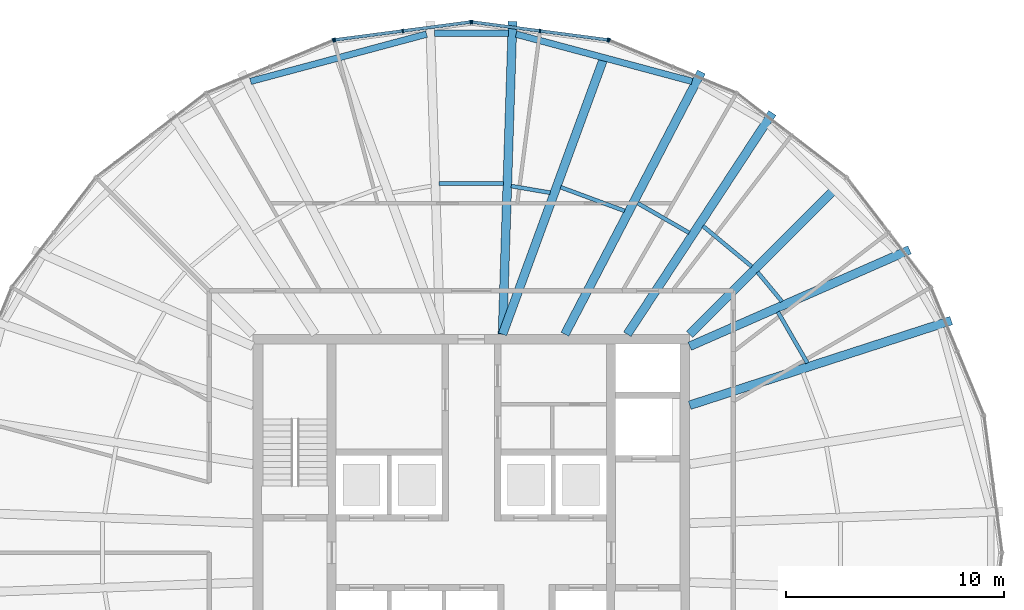
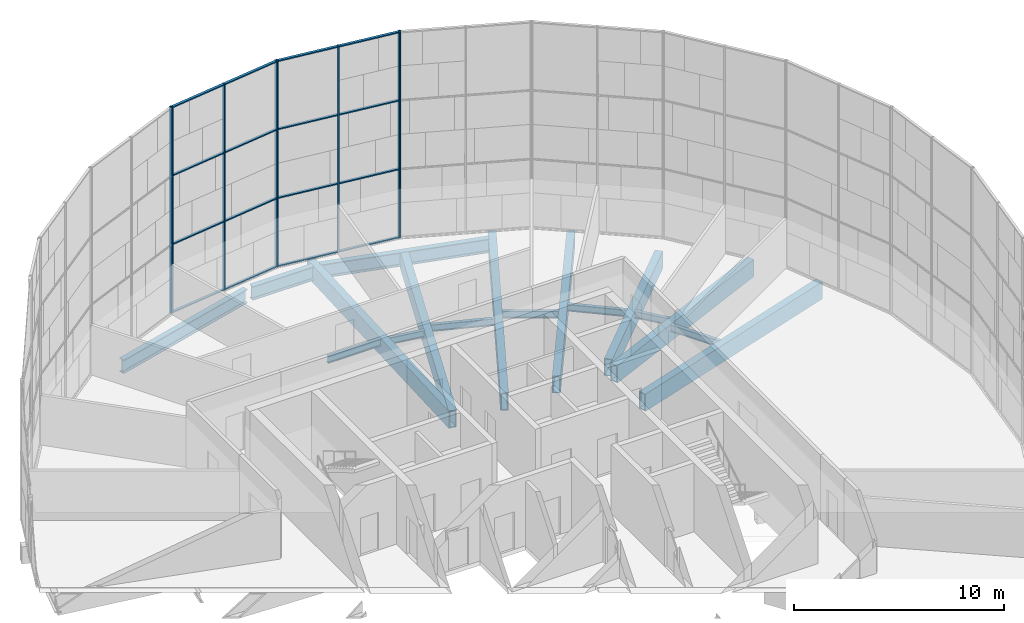
# One storey, part 7 of 22: 24 members, 17 beams, 4 elements without a shape of their own.
"""IFC4 building model written with IfcOpenShell, lengths in metres."""

from ifc_helpers import new_model, si_unit, direction, frame, origin, origin_2d, place, context, subcontext, project, spatial, rectangle, hollow_rectangle, i_section, extrude, material, material_profile, profile_set, type_object, element, aggregate, save


model = new_model("IFC4")

# Units and contexts
model_context = context("Model", 3, precision=1e-05, world=origin(), true_north=direction((0.0, 1.0)))
body_context = subcontext(model_context, "Body", "Model", "MODEL_VIEW")
ifc_project = project(units=[si_unit("LENGTHUNIT", "METRE"), si_unit("AREAUNIT", "SQUARE_METRE"), si_unit("VOLUMEUNIT", "CUBIC_METRE"), si_unit("PLANEANGLEUNIT", "RADIAN"), si_unit("MASSUNIT", "GRAM", prefix="KILO")], contexts=[model_context])

# Site, building, storey
site_placement = place(None, origin())
site = spatial("IfcSite", under=ifc_project, at=site_placement, CompositionType="ELEMENT")
building_placement = place(site_placement, origin())
building = spatial("IfcBuilding", under=site, at=building_placement, Name="Golbaran Civic Tower", CompositionType="ELEMENT")
storey_placement = place(building_placement, frame((0.0, 0.0, 155.0)))
storey = spatial("IfcBuildingStorey", under=building, at=storey_placement, Name="L37", CompositionType="ELEMENT", Elevation=155.0)

# Beams
ifc_material_1 = material(Name="Steel S355", Category="steel")
ifc_material_profile_1 = material_profile(ifc_material_1, i_section(OverallWidth=0.300048828125, OverallDepth=0.800048828125, WebThickness=0.017578125, FlangeThickness=0.032958984375, FilletRadius=0.030029296875, at=origin_2d()), Name="HEB 800")
ifc_profile_set_1 = profile_set([ifc_material_profile_1], Name="Steel S355")
beam_type_1 = type_object("IfcBeamType", Name="EDGE BEAM HEB 800", PredefinedType="BEAM", material=ifc_profile_set_1)
beam_1_placement = place(storey_placement, frame((10.10888671875, 21.580810546875, -0.60009765625), z_axis=(-0.965852660034, 0.259091951063, 0.0), x_axis=(-0.259091951063, -0.965852660034, 0.0)))
element("IfcBeam", 1, at=beam_1_placement, inside=storey, type_object=beam_type_1, Name="Edge beam 64.38 L37", PredefinedType="BEAM", context=body_context, shape_type="SweptSolid", body=[
    extrude(i_section(OverallWidth=0.300048828125, OverallDepth=0.800048828125, WebThickness=0.017578125, FlangeThickness=0.032958984375, FilletRadius=0.030029296875, at=origin_2d()), origin(), (0.0, 0.0, 1.0), 8.343994140625),
])
beam_2_placement = place(storey_placement, frame((1.691162109375, 23.79052734375, -0.60009765625), z_axis=(-1.0, 0.0, 0.0), x_axis=(0.0, -1.0, 0.0)))
element("IfcBeam", 2, at=beam_2_placement, inside=storey, type_object=beam_type_1, Name="Edge beam 85.62 L37", PredefinedType="BEAM", context=body_context, shape_type="SweptSolid", body=[
    extrude(i_section(OverallWidth=0.300048828125, OverallDepth=0.800048828125, WebThickness=0.017578125, FlangeThickness=0.032958984375, FilletRadius=0.030029296875, at=origin_2d()), origin(), (0.0, 0.0, 1.0), 3.38232421875),
])
beam_3_placement = place(storey_placement, frame((-2.0498046875, 23.74267578125, -0.60009765625), z_axis=(-0.965852660034, -0.259091951063, 0.0), x_axis=(0.259091951063, -0.965852660034, 0.0)))
element("IfcBeam", 3, at=beam_3_placement, inside=storey, type_object=beam_type_1, Name="Edge beam 94.38 L37", PredefinedType="BEAM", context=body_context, shape_type="SweptSolid", body=[
    extrude(i_section(OverallWidth=0.300048828125, OverallDepth=0.800048828125, WebThickness=0.017578125, FlangeThickness=0.032958984375, FilletRadius=0.030029296875, at=origin_2d()), origin(), (0.0, 0.0, 1.0), 8.343994140625),
])
ifc_material_profile_2 = material_profile(ifc_material_1, i_section(OverallWidth=0.179931640625, OverallDepth=0.39990234375, WebThickness=0.008544921875, FlangeThickness=0.013427734375, FilletRadius=0.02099609375, at=origin_2d()), Name="IPE 400")
ifc_profile_set_2 = profile_set([ifc_material_profile_2], Name="Steel S355")
beam_type_2 = type_object("IfcBeamType", Name="FLOOR INFILL BEAM IPE 400", PredefinedType="BEAM", material=ifc_profile_set_2)
beam_4_placement = place(storey_placement, frame((15.38916015625, 8.684814453125, -0.39990234375), z_axis=(-0.499996136155, 0.866027634565, 0.0), x_axis=(-0.866027634565, -0.499996136155, 0.0)))
element("IfcBeam", 4, at=beam_4_placement, inside=storey, type_object=beam_type_2, Name="Infill beam 30.00 L37", PredefinedType="BEAM", context=body_context, shape_type="SweptSolid", body=[
    extrude(i_section(OverallWidth=0.179931640625, OverallDepth=0.39990234375, WebThickness=0.008544921875, FlangeThickness=0.013427734375, FilletRadius=0.02099609375, at=origin_2d()), origin(), (0.0, 0.0, 1.0), 2.70263671875),
])
beam_5_placement = place(storey_placement, frame((14.224853515625, 11.500732421875, -0.39990234375), z_axis=(-0.63856720713, 0.769566060828, 0.0), x_axis=(-0.769566060828, -0.63856720713, 0.0)))
element("IfcBeam", 5, at=beam_5_placement, inside=storey, type_object=beam_type_2, Name="Infill beam 39.69 L37", PredefinedType="BEAM", context=body_context, shape_type="SweptSolid", body=[
    extrude(i_section(OverallWidth=0.179931640625, OverallDepth=0.39990234375, WebThickness=0.008544921875, FlangeThickness=0.013427734375, FilletRadius=0.02099609375, at=origin_2d()), origin(), (0.0, 0.0, 1.0), 1.753662109375),
])
beam_6_placement = place(storey_placement, frame((12.843994140625, 13.0986328125, -0.39990234375), z_axis=(-0.769541494955, 0.63859681141, 0.0), x_axis=(-0.63859681141, -0.769541494955, 0.0)))
element("IfcBeam", 6, at=beam_6_placement, inside=storey, type_object=beam_type_2, Name="Infill beam 50.31 L37", PredefinedType="BEAM", context=body_context, shape_type="SweptSolid", body=[
    extrude(i_section(OverallWidth=0.179931640625, OverallDepth=0.39990234375, WebThickness=0.008544921875, FlangeThickness=0.013427734375, FilletRadius=0.02099609375, at=origin_2d()), origin(), (0.0, 0.0, 1.0), 2.90673828125),
])
beam_7_placement = place(storey_placement, frame((9.973388671875, 14.64501953125, -0.39990234375), z_axis=(-0.866022906543, 0.500004325324, 0.0), x_axis=(-0.500004325324, -0.866022906543, 0.0)))
element("IfcBeam", 7, at=beam_7_placement, inside=storey, type_object=beam_type_2, Name="Infill beam 60.00 L37", PredefinedType="BEAM", context=body_context, shape_type="SweptSolid", body=[
    extrude(i_section(OverallWidth=0.179931640625, OverallDepth=0.39990234375, WebThickness=0.008544921875, FlangeThickness=0.013427734375, FilletRadius=0.02099609375, at=origin_2d()), origin(), (0.0, 0.0, 1.0), 2.72412109375),
])
beam_8_placement = place(storey_placement, frame((7.022216796875, 15.64892578125, -0.39990234375), z_axis=(-0.937838207925, 0.347072752829, 0.0), x_axis=(-0.347072752829, -0.937838207925, 0.0)))
element("IfcBeam", 8, at=beam_8_placement, inside=storey, type_object=beam_type_2, Name="Infill beam 69.69 L37", PredefinedType="BEAM", context=body_context, shape_type="SweptSolid", body=[
    extrude(i_section(OverallWidth=0.179931640625, OverallDepth=0.39990234375, WebThickness=0.008544921875, FlangeThickness=0.013427734375, FilletRadius=0.02099609375, at=origin_2d()), origin(), (0.0, 0.0, 1.0), 3.126708984375),
])
beam_9_placement = place(storey_placement, frame((3.61376953125, 16.481689453125, -0.39990234375), z_axis=(-0.985734791047, 0.168306035898, 0.0), x_axis=(-0.168306035898, -0.985734791047, 0.0)))
element("IfcBeam", 9, at=beam_9_placement, inside=storey, type_object=beam_type_2, Name="Infill beam 80.31 L37", PredefinedType="BEAM", context=body_context, shape_type="SweptSolid", body=[
    extrude(i_section(OverallWidth=0.179931640625, OverallDepth=0.39990234375, WebThickness=0.008544921875, FlangeThickness=0.013427734375, FilletRadius=0.02099609375, at=origin_2d()), origin(), (0.0, 0.0, 1.0), 1.813232421875),
])
beam_10_placement = place(storey_placement, frame((1.4697265625, 16.895263671875, -0.39990234375), z_axis=(-1.0, 0.0, 0.0), x_axis=(0.0, -1.0, 0.0)))
element("IfcBeam", 10, at=beam_10_placement, inside=storey, type_object=beam_type_2, Name="Infill beam 90.00 L37", PredefinedType="BEAM", context=body_context, shape_type="SweptSolid", body=[
    extrude(i_section(OverallWidth=0.179931640625, OverallDepth=0.39990234375, WebThickness=0.008544921875, FlangeThickness=0.013427734375, FilletRadius=0.02099609375, at=origin_2d()), origin(), (0.0, 0.0, 1.0), 2.939453125),
])

# Curtain wall, member
ifc_material_2 = material(Name="Aluminium and glass", Category="aluminium")
curtain_wall_type = type_object("IfcCurtainWallType", Name="INNER SKIN CURTAIN WALL", PredefinedType="NOTDEFINED", material=ifc_material_2)
curtain_wall_1_placement = place(storey_placement, origin())
curtain_wall_1 = element("IfcCurtainWall", 11, at=curtain_wall_1_placement, inside=storey, type_object=curtain_wall_type, Name="Inner skin L37 facet 5 CW1", ObjectType="INNER SKIN", PredefinedType="USERDEFINED")
ifc_material_3 = material(Name="Aluminium", Category="aluminium")
ifc_material_profile_3 = material_profile(ifc_material_3, rectangle(XDim=0.179931640625, YDim=0.06494140625, at=origin_2d()), Name="INNER SKIN CURTAIN WALL MULLION")
ifc_profile_set_3 = profile_set([ifc_material_profile_3], Name="Aluminium")
member_type_1 = type_object("IfcMemberType", Name="INNER SKIN CURTAIN WALL MULLION", PredefinedType="MULLION", material=ifc_profile_set_3)
member_1_placement = place(storey_placement, frame((6.31982421875, 23.46142578125, 0.0), z_axis=(0.0, 0.0, 1.0), x_axis=(-0.382683432268, -0.923879532551, 0.0)))
member_1 = element("IfcMember", 12, at=member_1_placement, type_object=member_type_1, Name="CW1 mullion 3", PredefinedType="MULLION", context=body_context, shape_type="SweptSolid", body=[
    extrude(rectangle(XDim=0.179931640625, YDim=0.06494140625, at=origin_2d()), origin(), (0.0, 0.0, 1.0), 12.0),
])
aggregate(curtain_wall_1, [member_1])

# Curtain wall, members
curtain_wall_2_placement = place(storey_placement, origin())
curtain_wall_2 = element("IfcCurtainWall", 13, at=curtain_wall_2_placement, inside=storey, type_object=curtain_wall_type, Name="Inner skin L37 facet 6 CW1", ObjectType="INNER SKIN", PredefinedType="USERDEFINED")
member_2_placement = place(storey_placement, frame((6.257568359375, 23.478271484375, 0.0), z_axis=(0.0, 0.0, 1.0), x_axis=(-0.130526192289, -0.991444861365, 0.0)))
member_2 = element("IfcMember", 14, at=member_2_placement, type_object=member_type_1, Name="CW1 mullion 1", PredefinedType="MULLION", context=body_context, shape_type="SweptSolid", body=[
    extrude(rectangle(XDim=0.179931640625, YDim=0.06494140625, at=origin_2d()), origin(), (0.0, 0.0, 1.0), 12.0),
])
member_3_placement = place(storey_placement, frame((3.14501953125, 23.887939453125, 0.0), z_axis=(0.0, 0.0, 1.0), x_axis=(-0.130526192289, -0.991444861365, 0.0)))
member_3 = element("IfcMember", 15, at=member_3_placement, type_object=member_type_1, Name="CW1 mullion 2", PredefinedType="MULLION", context=body_context, shape_type="SweptSolid", body=[
    extrude(rectangle(XDim=0.179931640625, YDim=0.06494140625, at=origin_2d()), origin(), (0.0, 0.0, 1.0), 12.0),
])
member_4_placement = place(storey_placement, frame((0.0322265625, 24.2978515625, 0.0), z_axis=(0.0, 0.0, 1.0), x_axis=(-0.130526192289, -0.991444861365, 0.0)))
member_4 = element("IfcMember", 16, at=member_4_placement, type_object=member_type_1, Name="CW1 mullion 3", PredefinedType="MULLION", context=body_context, shape_type="SweptSolid", body=[
    extrude(rectangle(XDim=0.179931640625, YDim=0.06494140625, at=origin_2d()), origin(), (0.0, 0.0, 1.0), 12.0),
])

curtain_wall_3_placement = place(storey_placement, origin())
curtain_wall_3 = element("IfcCurtainWall", 17, at=curtain_wall_3_placement, inside=storey, type_object=curtain_wall_type, Name="Inner skin L37 facet 7 CW1", ObjectType="INNER SKIN", PredefinedType="USERDEFINED")
member_5_placement = place(storey_placement, frame((-0.0322265625, 24.2978515625, 0.0), z_axis=(0.0, 0.0, 1.0), x_axis=(0.130526192289, -0.991444861365, 0.0)))
member_5 = element("IfcMember", 18, at=member_5_placement, type_object=member_type_1, Name="CW1 mullion 1", PredefinedType="MULLION", context=body_context, shape_type="SweptSolid", body=[
    extrude(rectangle(XDim=0.179931640625, YDim=0.06494140625, at=origin_2d()), origin(), (0.0, 0.0, 1.0), 12.0),
])
member_6_placement = place(storey_placement, frame((-3.14501953125, 23.887939453125, 0.0), z_axis=(0.0, 0.0, 1.0), x_axis=(0.130526192289, -0.991444861365, 0.0)))
member_6 = element("IfcMember", 19, at=member_6_placement, type_object=member_type_1, Name="CW1 mullion 2", PredefinedType="MULLION", context=body_context, shape_type="SweptSolid", body=[
    extrude(rectangle(XDim=0.179931640625, YDim=0.06494140625, at=origin_2d()), origin(), (0.0, 0.0, 1.0), 12.0),
])
member_7_placement = place(storey_placement, frame((-6.257568359375, 23.478271484375, 0.0), z_axis=(0.0, 0.0, 1.0), x_axis=(0.130526192289, -0.991444861365, 0.0)))
member_7 = element("IfcMember", 20, at=member_7_placement, type_object=member_type_1, Name="CW1 mullion 3", PredefinedType="MULLION", context=body_context, shape_type="SweptSolid", body=[
    extrude(rectangle(XDim=0.179931640625, YDim=0.06494140625, at=origin_2d()), origin(), (0.0, 0.0, 1.0), 12.0),
])

# Curtain wall, member
curtain_wall_4_placement = place(storey_placement, origin())
curtain_wall_4 = element("IfcCurtainWall", 21, at=curtain_wall_4_placement, inside=storey, type_object=curtain_wall_type, Name="Inner skin L37 facet 8 CW1", ObjectType="INNER SKIN", PredefinedType="USERDEFINED")
member_8_placement = place(storey_placement, frame((-6.31982421875, 23.46142578125, 0.0), z_axis=(0.0, 0.0, 1.0), x_axis=(0.382683432268, -0.923879532551, 0.0)))
member_8 = element("IfcMember", 22, at=member_8_placement, type_object=member_type_1, Name="CW1 mullion 1", PredefinedType="MULLION", context=body_context, shape_type="SweptSolid", body=[
    extrude(rectangle(XDim=0.179931640625, YDim=0.06494140625, at=origin_2d()), origin(), (0.0, 0.0, 1.0), 12.0),
])
aggregate(curtain_wall_4, [member_8])

# Member
ifc_material_profile_4 = material_profile(ifc_material_3, rectangle(XDim=0.139892578125, YDim=0.06494140625, at=origin_2d()), Name="INNER SKIN CURTAIN WALL TRANSOM")
ifc_profile_set_4 = profile_set([ifc_material_profile_4], Name="Aluminium")
member_type_2 = type_object("IfcMemberType", Name="INNER SKIN CURTAIN WALL TRANSOM", PredefinedType="USERDEFINED", material=ifc_profile_set_4)
member_9_placement = place(storey_placement, frame((6.225341796875, 23.482421875, 0.032470703125), z_axis=(-0.991441587305, 0.130551058833, 0.0), x_axis=(-0.130551058833, -0.991441587305, 0.0)))
member_9 = element("IfcMember", 23, at=member_9_placement, type_object=member_type_2, Name="CW1 transom 1.1", ObjectType="TRANSOM", PredefinedType="USERDEFINED", context=body_context, shape_type="SweptSolid", body=[
    extrude(rectangle(XDim=0.139892578125, YDim=0.06494140625, at=origin_2d()), origin(), (0.0, 0.0, 1.0), 3.074462890625),
])

member_10_placement = place(storey_placement, frame((6.225341796875, 23.482421875, 4.0), z_axis=(-0.991441587305, 0.130551058833, 0.0), x_axis=(-0.130551058833, -0.991441587305, 0.0)))
member_10 = element("IfcMember", 24, at=member_10_placement, type_object=member_type_2, Name="CW1 transom 1.2", ObjectType="TRANSOM", PredefinedType="USERDEFINED", context=body_context, shape_type="SweptSolid", body=[
    extrude(rectangle(XDim=0.139892578125, YDim=0.06494140625, at=origin_2d()), origin(), (0.0, 0.0, 1.0), 3.074462890625),
])

member_11_placement = place(storey_placement, frame((6.225341796875, 23.482421875, 8.0), z_axis=(-0.991441587305, 0.130551058833, 0.0), x_axis=(-0.130551058833, -0.991441587305, 0.0)))
member_11 = element("IfcMember", 25, at=member_11_placement, type_object=member_type_2, Name="CW1 transom 1.3", ObjectType="TRANSOM", PredefinedType="USERDEFINED", context=body_context, shape_type="SweptSolid", body=[
    extrude(rectangle(XDim=0.139892578125, YDim=0.06494140625, at=origin_2d()), origin(), (0.0, 0.0, 1.0), 3.074462890625),
])

member_12_placement = place(storey_placement, frame((6.225341796875, 23.482421875, 11.967529296875), z_axis=(-0.991441587305, 0.130551058833, 0.0), x_axis=(-0.130551058833, -0.991441587305, 0.0)))
member_12 = element("IfcMember", 26, at=member_12_placement, type_object=member_type_2, Name="CW1 transom 1.4", ObjectType="TRANSOM", PredefinedType="USERDEFINED", context=body_context, shape_type="SweptSolid", body=[
    extrude(rectangle(XDim=0.139892578125, YDim=0.06494140625, at=origin_2d()), origin(), (0.0, 0.0, 1.0), 3.074462890625),
])

member_13_placement = place(storey_placement, frame((3.11279296875, 23.89208984375, 0.032470703125), z_axis=(-0.991442940586, 0.130540781221, 0.0), x_axis=(-0.130540781221, -0.991442940586, 0.0)))
member_13 = element("IfcMember", 27, at=member_13_placement, type_object=member_type_2, Name="CW1 transom 2.1", ObjectType="TRANSOM", PredefinedType="USERDEFINED", context=body_context, shape_type="SweptSolid", body=[
    extrude(rectangle(XDim=0.139892578125, YDim=0.06494140625, at=origin_2d()), origin(), (0.0, 0.0, 1.0), 3.07470703125),
])

member_14_placement = place(storey_placement, frame((3.11279296875, 23.89208984375, 4.0), z_axis=(-0.991442940586, 0.130540781221, 0.0), x_axis=(-0.130540781221, -0.991442940586, 0.0)))
member_14 = element("IfcMember", 28, at=member_14_placement, type_object=member_type_2, Name="CW1 transom 2.2", ObjectType="TRANSOM", PredefinedType="USERDEFINED", context=body_context, shape_type="SweptSolid", body=[
    extrude(rectangle(XDim=0.139892578125, YDim=0.06494140625, at=origin_2d()), origin(), (0.0, 0.0, 1.0), 3.07470703125),
])

member_15_placement = place(storey_placement, frame((3.11279296875, 23.89208984375, 8.0), z_axis=(-0.991442940586, 0.130540781221, 0.0), x_axis=(-0.130540781221, -0.991442940586, 0.0)))
member_15 = element("IfcMember", 29, at=member_15_placement, type_object=member_type_2, Name="CW1 transom 2.3", ObjectType="TRANSOM", PredefinedType="USERDEFINED", context=body_context, shape_type="SweptSolid", body=[
    extrude(rectangle(XDim=0.139892578125, YDim=0.06494140625, at=origin_2d()), origin(), (0.0, 0.0, 1.0), 3.07470703125),
])

member_16_placement = place(storey_placement, frame((3.11279296875, 23.89208984375, 11.967529296875), z_axis=(-0.991442940586, 0.130540781221, 0.0), x_axis=(-0.130540781221, -0.991442940586, 0.0)))
member_16 = element("IfcMember", 30, at=member_16_placement, type_object=member_type_2, Name="CW1 transom 2.4", ObjectType="TRANSOM", PredefinedType="USERDEFINED", context=body_context, shape_type="SweptSolid", body=[
    extrude(rectangle(XDim=0.139892578125, YDim=0.06494140625, at=origin_2d()), origin(), (0.0, 0.0, 1.0), 3.07470703125),
])

aggregate(curtain_wall_2, [member_2, member_3, member_4, member_9, member_10, member_11, member_12, member_13, member_14, member_15, member_16])

member_17_placement = place(storey_placement, frame((-0.064453125, 24.29345703125, 0.032470703125), z_axis=(-0.991442940586, -0.130540781221, 0.0), x_axis=(0.130540781221, -0.991442940586, 0.0)))
member_17 = element("IfcMember", 31, at=member_17_placement, type_object=member_type_2, Name="CW1 transom 1.1", ObjectType="TRANSOM", PredefinedType="USERDEFINED", context=body_context, shape_type="SweptSolid", body=[
    extrude(rectangle(XDim=0.139892578125, YDim=0.06494140625, at=origin_2d()), origin(), (0.0, 0.0, 1.0), 3.07470703125),
])

member_18_placement = place(storey_placement, frame((-0.064453125, 24.29345703125, 4.0), z_axis=(-0.991442940586, -0.130540781221, 0.0), x_axis=(0.130540781221, -0.991442940586, 0.0)))
member_18 = element("IfcMember", 32, at=member_18_placement, type_object=member_type_2, Name="CW1 transom 1.2", ObjectType="TRANSOM", PredefinedType="USERDEFINED", context=body_context, shape_type="SweptSolid", body=[
    extrude(rectangle(XDim=0.139892578125, YDim=0.06494140625, at=origin_2d()), origin(), (0.0, 0.0, 1.0), 3.07470703125),
])

member_19_placement = place(storey_placement, frame((-0.064453125, 24.29345703125, 8.0), z_axis=(-0.991442940586, -0.130540781221, 0.0), x_axis=(0.130540781221, -0.991442940586, 0.0)))
member_19 = element("IfcMember", 33, at=member_19_placement, type_object=member_type_2, Name="CW1 transom 1.3", ObjectType="TRANSOM", PredefinedType="USERDEFINED", context=body_context, shape_type="SweptSolid", body=[
    extrude(rectangle(XDim=0.139892578125, YDim=0.06494140625, at=origin_2d()), origin(), (0.0, 0.0, 1.0), 3.07470703125),
])

member_20_placement = place(storey_placement, frame((-0.064453125, 24.29345703125, 11.967529296875), z_axis=(-0.991442940586, -0.130540781221, 0.0), x_axis=(0.130540781221, -0.991442940586, 0.0)))
member_20 = element("IfcMember", 34, at=member_20_placement, type_object=member_type_2, Name="CW1 transom 1.4", ObjectType="TRANSOM", PredefinedType="USERDEFINED", context=body_context, shape_type="SweptSolid", body=[
    extrude(rectangle(XDim=0.139892578125, YDim=0.06494140625, at=origin_2d()), origin(), (0.0, 0.0, 1.0), 3.07470703125),
])

member_21_placement = place(storey_placement, frame((-3.17724609375, 23.8837890625, 0.032470703125), z_axis=(-0.991441587305, -0.130551058833, 0.0), x_axis=(0.130551058833, -0.991441587305, 0.0)))
member_21 = element("IfcMember", 35, at=member_21_placement, type_object=member_type_2, Name="CW1 transom 2.1", ObjectType="TRANSOM", PredefinedType="USERDEFINED", context=body_context, shape_type="SweptSolid", body=[
    extrude(rectangle(XDim=0.139892578125, YDim=0.06494140625, at=origin_2d()), origin(), (0.0, 0.0, 1.0), 3.074462890625),
])

member_22_placement = place(storey_placement, frame((-3.17724609375, 23.8837890625, 4.0), z_axis=(-0.991441587305, -0.130551058833, 0.0), x_axis=(0.130551058833, -0.991441587305, 0.0)))
member_22 = element("IfcMember", 36, at=member_22_placement, type_object=member_type_2, Name="CW1 transom 2.2", ObjectType="TRANSOM", PredefinedType="USERDEFINED", context=body_context, shape_type="SweptSolid", body=[
    extrude(rectangle(XDim=0.139892578125, YDim=0.06494140625, at=origin_2d()), origin(), (0.0, 0.0, 1.0), 3.074462890625),
])

member_23_placement = place(storey_placement, frame((-3.17724609375, 23.8837890625, 8.0), z_axis=(-0.991441587305, -0.130551058833, 0.0), x_axis=(0.130551058833, -0.991441587305, 0.0)))
member_23 = element("IfcMember", 37, at=member_23_placement, type_object=member_type_2, Name="CW1 transom 2.3", ObjectType="TRANSOM", PredefinedType="USERDEFINED", context=body_context, shape_type="SweptSolid", body=[
    extrude(rectangle(XDim=0.139892578125, YDim=0.06494140625, at=origin_2d()), origin(), (0.0, 0.0, 1.0), 3.074462890625),
])

member_24_placement = place(storey_placement, frame((-3.17724609375, 23.8837890625, 11.967529296875), z_axis=(-0.991441587305, -0.130551058833, 0.0), x_axis=(0.130551058833, -0.991441587305, 0.0)))
member_24 = element("IfcMember", 38, at=member_24_placement, type_object=member_type_2, Name="CW1 transom 2.4", ObjectType="TRANSOM", PredefinedType="USERDEFINED", context=body_context, shape_type="SweptSolid", body=[
    extrude(rectangle(XDim=0.139892578125, YDim=0.06494140625, at=origin_2d()), origin(), (0.0, 0.0, 1.0), 3.074462890625),
])

aggregate(curtain_wall_3, [member_5, member_6, member_7, member_17, member_18, member_19, member_20, member_21, member_22, member_23, member_24])

# Beams
ifc_material_profile_5 = material_profile(ifc_material_1, hollow_rectangle(XDim=0.39990234375, YDim=1.0, WallThickness=0.050048828125, at=origin_2d()), Name="BOX 1000x400x50")
ifc_profile_set_5 = profile_set([ifc_material_profile_5], Name="Steel S355")
beam_type_3 = type_object("IfcBeamType", Name="RADIAL FLOOR BEAM BOX 1000x400x50", PredefinedType="BEAM", material=ifc_profile_set_5)
beam_11_placement = place(storey_placement, frame((10.0, 6.75, -0.7099609375), z_axis=(0.951333518501, 0.30816316551, 0.0), x_axis=(-0.30816316551, 0.951333518501, 0.0)))
element("IfcBeam", 39, at=beam_11_placement, inside=storey, type_object=beam_type_3, Name="Radial beam 25.62 L37", PredefinedType="BEAM", context=body_context, shape_type="SweptSolid", body=[
    extrude(hollow_rectangle(XDim=0.39990234375, YDim=1.0, WallThickness=0.050048828125, at=origin_2d()), origin(), (0.0, 0.0, 1.0), 12.587158203125),
])
beam_12_placement = place(storey_placement, frame((10.0, 9.449951171875, -0.7099609375), z_axis=(0.915699635691, 0.401863381256, 0.0), x_axis=(-0.401863381256, 0.915699635691, 0.0)))
element("IfcBeam", 40, at=beam_12_placement, inside=storey, type_object=beam_type_3, Name="Radial beam 34.38 L37", PredefinedType="BEAM", context=body_context, shape_type="SweptSolid", body=[
    extrude(hollow_rectangle(XDim=0.39990234375, YDim=1.0, WallThickness=0.050048828125, at=origin_2d()), origin(), (0.0, 0.0, 1.0), 10.99560546875),
])
beam_13_placement = place(storey_placement, frame((7.142822265625, 10.0, -0.7099609375), z_axis=(0.548342642764, 0.836253757018, 0.0), x_axis=(-0.836253757018, 0.548342642764, 0.0)))
element("IfcBeam", 41, at=beam_13_placement, inside=storey, type_object=beam_type_3, Name="Radial beam 55.62 L37", PredefinedType="BEAM", context=body_context, shape_type="SweptSolid", body=[
    extrude(hollow_rectangle(XDim=0.39990234375, YDim=1.0, WallThickness=0.050048828125, at=origin_2d()), origin(), (0.0, 0.0, 1.0), 12.118408203125),
])
beam_14_placement = place(storey_placement, frame((4.28564453125, 10.0, -0.7099609375), z_axis=(0.461588342678, 0.887094246348, 0.0), x_axis=(-0.887094246348, 0.461588342678, 0.0)))
element("IfcBeam", 42, at=beam_14_placement, inside=storey, type_object=beam_type_3, Name="Radial beam 64.38 L37", PredefinedType="BEAM", context=body_context, shape_type="SweptSolid", body=[
    extrude(hollow_rectangle(XDim=0.39990234375, YDim=1.0, WallThickness=0.050048828125, at=origin_2d()), origin(), (0.0, 0.0, 1.0), 13.5390625),
])
beam_15_placement = place(storey_placement, frame((1.428466796875, 10.0, -0.7099609375), z_axis=(0.032085434582, 0.999485129898, 0.0), x_axis=(-0.999485129898, 0.032085434582, 0.0)))
element("IfcBeam", 43, at=beam_15_placement, inside=storey, type_object=beam_type_3, Name="Radial beam 85.62 L37", PredefinedType="BEAM", context=body_context, shape_type="SweptSolid", body=[
    extrude(hollow_rectangle(XDim=0.39990234375, YDim=1.0, WallThickness=0.050048828125, at=origin_2d()), origin(), (0.0, 0.0, 1.0), 14.33544921875),
])
ifc_material_profile_6 = material_profile(ifc_material_1, hollow_rectangle(XDim=0.39990234375, YDim=1.0, WallThickness=0.0400390625, at=origin_2d()), Name="BOX 1000x400x40")
ifc_profile_set_6 = profile_set([ifc_material_profile_6], Name="Steel S355")
beam_type_4 = type_object("IfcBeamType", Name="SECONDARY FLOOR BEAM BOX 1000x400x40", PredefinedType="BEAM", material=ifc_profile_set_6)
beam_16_placement = place(storey_placement, frame((10.0, 10.0, -0.7099609375), z_axis=(0.707106781187, 0.707106781187, 0.0), x_axis=(-0.707106781187, 0.707106781187, 0.0)))
element("IfcBeam", 44, at=beam_16_placement, inside=storey, type_object=beam_type_4, Name="Secondary beam 45.00 L37", PredefinedType="BEAM", context=body_context, shape_type="SweptSolid", body=[
    extrude(hollow_rectangle(XDim=0.39990234375, YDim=1.0, WallThickness=0.0400390625, at=origin_2d()), origin(), (0.0, 0.0, 1.0), 9.334716796875),
])
beam_17_placement = place(storey_placement, frame((1.428466796875, 10.0, -0.7099609375), z_axis=(0.34431846855, 0.938852912982, 0.0), x_axis=(-0.938852912982, 0.34431846855, 0.0)))
element("IfcBeam", 45, at=beam_17_placement, inside=storey, type_object=beam_type_4, Name="Secondary beam 75.00 L37", PredefinedType="BEAM", context=body_context, shape_type="SweptSolid", body=[
    extrude(hollow_rectangle(XDim=0.39990234375, YDim=1.0, WallThickness=0.0400390625, at=origin_2d()), origin(), (0.0, 0.0, 1.0), 13.48828125),
])

save(model, "model.ifc")
